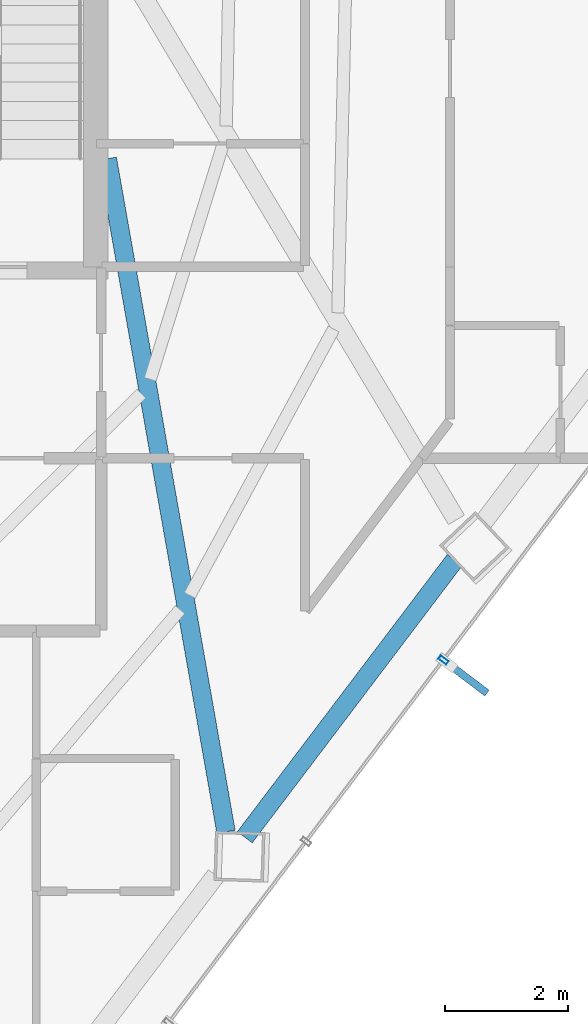
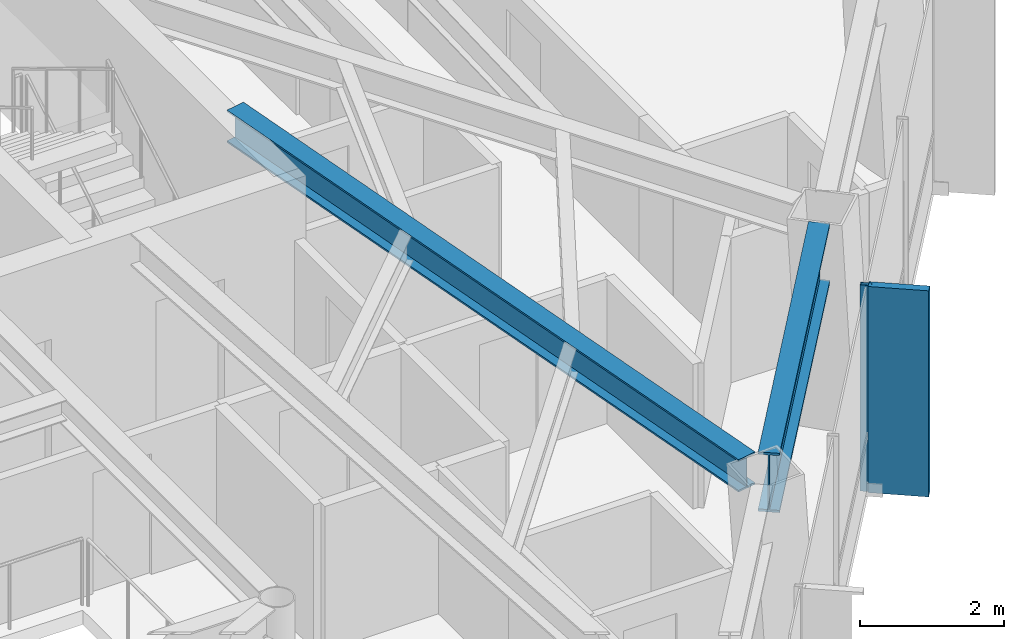
# One storey, part 19 of 30: 2 beams, 2 members, 1 element without a shape of its own.
"""IFC4 building model written with IfcOpenShell, lengths in metres."""

from ifc_helpers import new_model, si_unit, direction, frame, origin, origin_2d, place, context, subcontext, project, spatial, rectangle, hollow_rectangle, i_section, extrude, material, layer, layer_set, material_profile, profile_set, type_object, element, aggregate, save


model = new_model("IFC4")

# Units and contexts
model_context = context("Model", 3, precision=1e-05, world=origin(), true_north=direction((0.0, 1.0)))
body_context = subcontext(model_context, "Body", "Model", "MODEL_VIEW")
ifc_project = project(units=[si_unit("LENGTHUNIT", "METRE"), si_unit("AREAUNIT", "SQUARE_METRE"), si_unit("VOLUMEUNIT", "CUBIC_METRE"), si_unit("PLANEANGLEUNIT", "RADIAN"), si_unit("MASSUNIT", "GRAM", prefix="KILO")], contexts=[model_context])

# Site, building, storey
site_placement = place(None, origin())
site = spatial("IfcSite", under=ifc_project, at=site_placement, CompositionType="ELEMENT")
building_placement = place(site_placement, origin())
building = spatial("IfcBuilding", under=site, at=building_placement, Name="Zarrinselat Tower", CompositionType="ELEMENT")
storey_placement = place(building_placement, frame((0.0, 0.0, 130.89990234375)))
storey = spatial("IfcBuildingStorey", under=building, at=storey_placement, Name="L31", CompositionType="ELEMENT", Elevation=130.89990234375)

# Beams
ifc_material_1 = material(Name="Steel S355J2", Category="steel")
ifc_material_profile_1 = material_profile(ifc_material_1, i_section(OverallWidth=0.300048828125, OverallDepth=0.550048828125, WebThickness=0.014892578125, FlangeThickness=0.029052734375, at=origin_2d()), Name="HEB 550")
ifc_profile_set_1 = profile_set([ifc_material_profile_1], Name="Steel S355J2")
beam_type_1 = type_object("IfcBeamType", Name="BM-HEB550", PredefinedType="BEAM", material=ifc_profile_set_1)
beam_1_placement = place(storey_placement, frame((48.449951171875, 35.0, 3.22509765625), z_axis=(0.173650716, -0.984807305432, 0.0), x_axis=(0.984807305432, 0.173650716, 0.0)))
element("IfcBeam", 1, at=beam_1_placement, inside=storey, type_object=beam_type_1, Name="L31 Radial Primary Girder RG12", PredefinedType="BEAM", context=body_context, shape_type="SweptSolid", body=[
    extrude(i_section(OverallWidth=0.300048828125, OverallDepth=0.550048828125, WebThickness=0.014892578125, FlangeThickness=0.029052734375, at=origin_2d()), origin(), (0.0, 0.0, 1.0), 11.0703125),
])
ifc_material_2 = material(Name="Steel S460M", Category="steel")
ifc_material_profile_2 = material_profile(ifc_material_2, i_section(OverallWidth=0.302001953125, OverallDepth=1.008056640625, WebThickness=0.02099609375, FlangeThickness=0.0400390625, at=origin_2d()), Name="HEM 1000")
ifc_profile_set_2 = profile_set([ifc_material_profile_2], Name="Steel S460M")
beam_type_2 = type_object("IfcBeamType", Name="BM-HEM1000", PredefinedType="BEAM", material=ifc_profile_set_2)
beam_2_placement = place(storey_placement, frame((50.676513671875, 24.01123046875, 2.99609375), z_axis=(0.603851008245, 0.797097208527, 0.0), x_axis=(-0.797097208527, 0.603851008245, 0.0)))
element("IfcBeam", 2, at=beam_2_placement, inside=storey, type_object=beam_type_2, Name="L31 Perimeter Spandrel Girder SP12", PredefinedType="BEAM", context=body_context, shape_type="SweptSolid", body=[
    extrude(i_section(OverallWidth=0.302001953125, OverallDepth=1.008056640625, WebThickness=0.02099609375, FlangeThickness=0.0400390625, at=origin_2d()), origin(), (0.0, 0.0, 1.0), 5.629638671875),
])

# Curtain wall, members
ifc_material_3 = material(Name="Extruded Aluminium Alloy EN AW-6063 T6", Category="aluminium")
ifc_layer = layer(ifc_material_3, 0.175048828125)
ifc_layer_set = layer_set([ifc_layer], Name="Extruded Aluminium Alloy EN AW-6063 T6")
curtain_wall_type = type_object("IfcCurtainWallType", Name="CWS-HTL", PredefinedType="NOTDEFINED", material=ifc_layer_set)
curtain_wall_placement = place(storey_placement, origin())
curtain_wall = element("IfcCurtainWall", 3, at=curtain_wall_placement, inside=storey, type_object=curtain_wall_type, Name="L31 Unitised Curtain Wall CW-L31-E05", PredefinedType="NOTDEFINED")
ifc_material_4 = material(Name="Extruded Aluminium Alloy EN AW-6063 T6", Category="aluminium")
ifc_material_profile_3 = material_profile(ifc_material_4, hollow_rectangle(XDim=0.070068359375, YDim=0.159912109375, WallThickness=0.00390625, at=origin_2d()), Name="RHS 160x70x4")
ifc_profile_set_3 = profile_set([ifc_material_profile_3], Name="Extruded Aluminium Alloy EN AW-6063 T6")
member_type_1 = type_object("IfcMemberType", Name="MEM-CW-MUL2", PredefinedType="MULLION", material=ifc_profile_set_3)
member_1_placement = place(storey_placement, frame((53.894287109375, 26.879150390625, 0.0), z_axis=(0.0, 0.0, 1.0), x_axis=(0.603858135777, 0.797091808926, 0.0)))
member_1 = element("IfcMember", 4, at=member_1_placement, type_object=member_type_1, Name="CW-L31-E05 Mullion 3", PredefinedType="MULLION", context=body_context, shape_type="SweptSolid", body=[
    extrude(hollow_rectangle(XDim=0.070068359375, YDim=0.159912109375, WallThickness=0.00390625, at=origin_2d()), origin(), (0.0, 0.0, 1.0), 3.5),
])
ifc_material_5 = material(Name="Honed Cream Travertine Stone", Category="masonry")
ifc_material_profile_4 = material_profile(ifc_material_5, rectangle(XDim=0.1201171875, YDim=0.85009765625, at=origin_2d()), Name="FIN 850x120")
ifc_profile_set_4 = profile_set([ifc_material_profile_4], Name="Honed Cream Travertine Stone")
member_type_2 = type_object("IfcMemberType", Name="MEM-STONE-FIN", PredefinedType="USERDEFINED", material=ifc_profile_set_4)
member_2_placement = place(storey_placement, frame((54.260986328125, 26.601318359375, 0.0), z_axis=(0.0, 0.0, 1.0), x_axis=(-0.603858135777, -0.797091808926, 0.0)))
member_2 = element("IfcMember", 5, at=member_2_placement, type_object=member_type_2, Name="L31 Stone Shading Fin CW-L31-E05-03", ObjectType="FIN", PredefinedType="USERDEFINED", context=body_context, shape_type="SweptSolid", body=[
    extrude(rectangle(XDim=0.1201171875, YDim=0.85009765625, at=origin_2d()), origin(), (0.0, 0.0, 1.0), 3.5),
])
aggregate(curtain_wall, [member_1, member_2])

save(model, "model.ifc")
